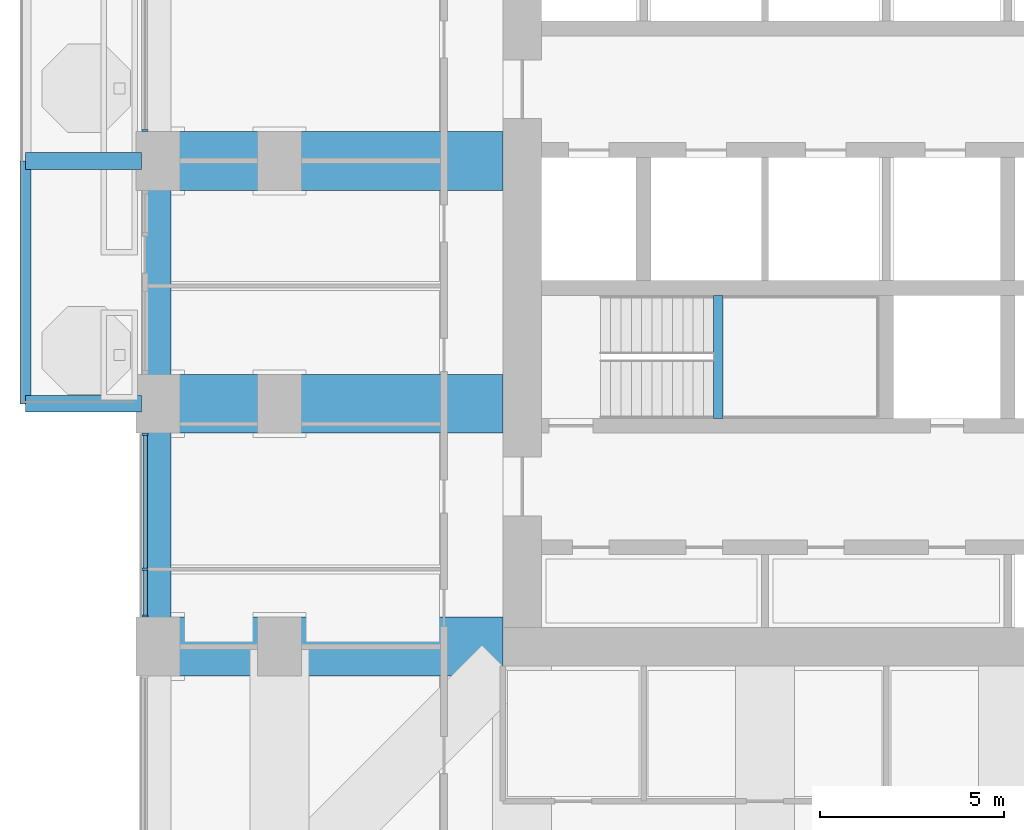
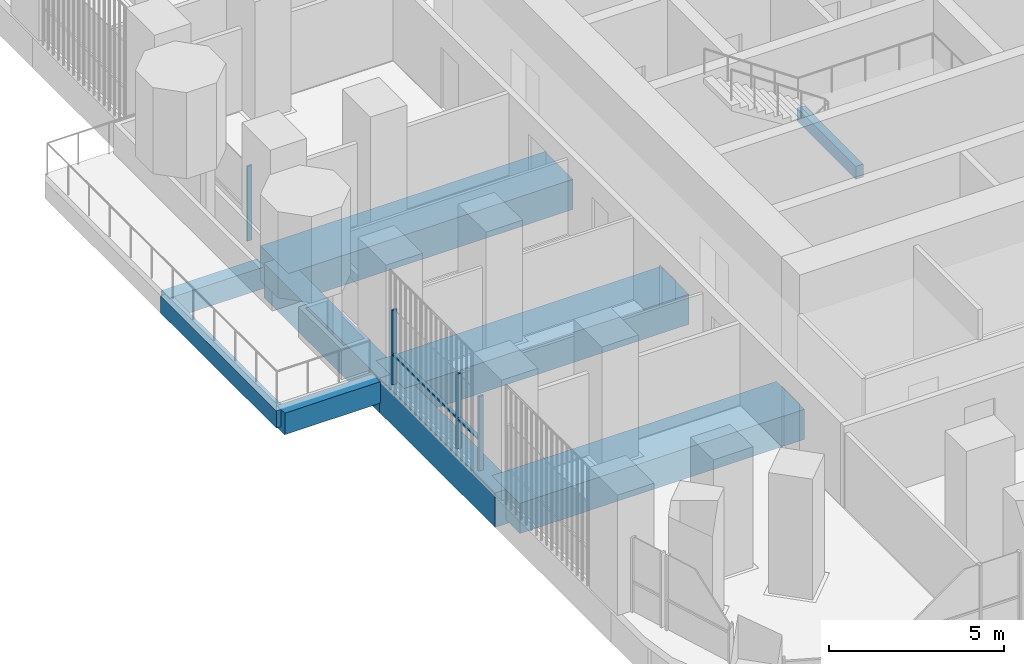
# One storey, part 4 of 22: 9 beams, 6 members, 2 elements without a shape of their own.
"""IFC4 building model written with IfcOpenShell, lengths in metres."""

from ifc_helpers import new_model, si_unit, direction, frame, origin, origin_2d, place, context, subcontext, project, spatial, rectangle, extrude, material, material_profile, profile_set, type_object, element, aggregate, save


model = new_model("IFC4")

# Units and contexts
model_context = context("Model", 3, precision=1e-05, world=origin(), true_north=direction((0.0, 1.0)))
body_context = subcontext(model_context, "Body", "Model", "MODEL_VIEW")
ifc_project = project(units=[si_unit("LENGTHUNIT", "METRE"), si_unit("AREAUNIT", "SQUARE_METRE"), si_unit("VOLUMEUNIT", "CUBIC_METRE"), si_unit("PLANEANGLEUNIT", "RADIAN"), si_unit("MASSUNIT", "GRAM", prefix="KILO")], contexts=[model_context])

# Site, building, storey
site_placement = place(None, origin())
site = spatial("IfcSite", under=ifc_project, at=site_placement, CompositionType="ELEMENT")
building_placement = place(site_placement, origin())
building = spatial("IfcBuilding", under=site, at=building_placement, Name="Cobogo Forest Laboratory Tower", CompositionType="ELEMENT")
storey_placement = place(building_placement, frame((0.0, 0.0, 136.800048828125)))
storey = spatial("IfcBuildingStorey", under=building, at=storey_placement, Name="L31", CompositionType="ELEMENT", Elevation=136.800048828125)

# Beams
ifc_material_1 = material(Name="Concrete HA-40 (C40/50)", Category="concrete")
ifc_material_profile_1 = material_profile(ifc_material_1, rectangle(XDim=0.449951171875, YDim=0.75, at=origin_2d()), Name="RC 450x750")
ifc_profile_set_1 = profile_set([ifc_material_profile_1], Name="Concrete HA-40 (C40/50)")
beam_type_1 = type_object("IfcBeamType", Name="Balcony cantilever beam 450x750", PredefinedType="BEAM", material=ifc_profile_set_1)
for number, where, z_axis, x_axis, name in (
    (1, (2.85009765625, 19.800048828125, -0.625), (-1.0, 0.0, 0.0), (0.0, -1.0, 0.0), "CB1 BAL-W1-C1 L31"),
    (2, (2.85009765625, 26.39990234375, -0.625), (-1.0, 0.0, 0.0), (0.0, -1.0, 0.0), "CB1 BAL-W1-C2 L31"),
):
    element("IfcBeam", number, at=place(storey_placement, frame(where, z_axis=z_axis, x_axis=x_axis)), inside=storey, type_object=beam_type_1, Name=name, PredefinedType="BEAM", context=body_context, shape_type="SweptSolid", body=[
        extrude(rectangle(XDim=0.449951171875, YDim=0.75, at=origin_2d()), origin(), (0.0, 0.0, 1.0), 3.150146484375),
    ])
ifc_material_profile_2 = material_profile(ifc_material_1, rectangle(XDim=0.300048828125, YDim=0.60009765625, at=origin_2d()), Name="RC 300x600")
ifc_profile_set_2 = profile_set([ifc_material_profile_2], Name="Concrete HA-40 (C40/50)")
beam_type_2 = type_object("IfcBeamType", Name="Balcony edge beam 300x600", PredefinedType="BEAM", material=ifc_profile_set_2)
beam_1_placement = place(storey_placement, frame((-0.300048828125, 19.800048828125, -0.550048828125), z_axis=(0.0, 1.0, 0.0), x_axis=(-1.0, 0.0, 0.0)))
element("IfcBeam", 3, at=beam_1_placement, inside=storey, type_object=beam_type_2, Name="BB1 BAL-W1-T1 L31", PredefinedType="BEAM", context=body_context, shape_type="SweptSolid", body=[
    extrude(rectangle(XDim=0.300048828125, YDim=0.60009765625, at=origin_2d()), origin(), (0.0, 0.0, 1.0), 6.599853515625),
])
ifc_material_profile_3 = material_profile(ifc_material_1, rectangle(XDim=0.25, YDim=0.449951171875, at=origin_2d()), Name="RC 250x450")
ifc_profile_set_3 = profile_set([ifc_material_profile_3], Name="Concrete HA-40 (C40/50)")
beam_type_3 = type_object("IfcBeamType", Name="LB1 landing beam 250x450", PredefinedType="BEAM", material=ifc_profile_set_3)
beam_2_placement = place(storey_placement, frame((18.530029296875, 19.39990234375, 1.675048828125), z_axis=(0.0, 1.0, 0.0), x_axis=(-1.0, 0.0, 0.0)))
element("IfcBeam", 4, at=beam_2_placement, inside=storey, type_object=beam_type_3, Name="Landing beam ST1 L31", PredefinedType="BEAM", context=body_context, shape_type="SweptSolid", body=[
    extrude(rectangle(XDim=0.25, YDim=0.449951171875, at=origin_2d()), origin(), (0.0, 0.0, 1.0), 3.35009765625),
])
ifc_material_2 = material(Name="Concrete HA-50 (C50/60)", Category="concrete")
ifc_material_profile_4 = material_profile(ifc_material_2, rectangle(XDim=1.60009765625, YDim=1.050048828125, at=origin_2d()), Name="RC 1600x1050")
ifc_profile_set_4 = profile_set([ifc_material_profile_4], Name="Concrete HA-50 (C50/60)")
beam_type_4 = type_object("IfcBeamType", Name="Laboratory floor wide beam 1600x1050", PredefinedType="BEAM", material=ifc_profile_set_4)
for number, where, z_axis, x_axis, name in (
    (5, (12.675048828125, 13.199951171875, -0.824951171875), (-1.0, 0.0, 0.0), (0.0, -1.0, 0.0), "RB8 R-C-W L31"),
    (6, (12.675048828125, 19.800048828125, -0.824951171875), (-1.0, 0.0, 0.0), (0.0, -1.0, 0.0), "RB8 R-D-W L31"),
    (7, (12.675048828125, 26.39990234375, -0.824951171875), (-1.0, 0.0, 0.0), (0.0, -1.0, 0.0), "RB8 R-E-W L31"),
):
    element("IfcBeam", number, at=place(storey_placement, frame(where, z_axis=z_axis, x_axis=x_axis)), inside=storey, type_object=beam_type_4, Name=name, PredefinedType="BEAM", context=body_context, shape_type="SweptSolid", body=[
        extrude(rectangle(XDim=1.60009765625, YDim=1.050048828125, at=origin_2d()), origin(), (0.0, 0.0, 1.0), 9.375),
    ])

# Curtain wall, member
ifc_material_3 = material(Name="Aluminium curtain wall", Category="aluminium")
curtain_wall_type = type_object("IfcCurtainWallType", Name="CW-1 unitised curtain wall, clear glazing, laboratory floors zones A and B", PredefinedType="USERDEFINED", material=ifc_material_3)
curtain_wall_1_placement = place(storey_placement, origin())
curtain_wall_1 = element("IfcCurtainWall", 8, at=curtain_wall_1_placement, inside=storey, type_object=curtain_wall_type, Name="Curtain wall 28 L31", ObjectType="UNITISED CURTAIN WALL", PredefinedType="USERDEFINED")
ifc_material_4 = material(Name="Aluminium mullion", Category="aluminium")
ifc_material_profile_5 = material_profile(ifc_material_4, rectangle(XDim=0.06005859375, YDim=0.159912109375, at=origin_2d()), Name="AL 60x160")
ifc_profile_set_5 = profile_set([ifc_material_profile_5], Name="Aluminium mullion")
member_type_1 = type_object("IfcMemberType", Name="MU-1 aluminium mullion 60x160", PredefinedType="MULLION", material=ifc_profile_set_5)
member_1_placement = place(storey_placement, frame((2.949951171875, 27.22998046875, 0.0), z_axis=(0.0, 0.0, 1.0), x_axis=(0.0, -1.0, 0.0)))
member_1 = element("IfcMember", 9, at=member_1_placement, type_object=member_type_1, Name="CW-1 mullion 2", PredefinedType="MULLION", context=body_context, shape_type="SweptSolid", body=[
    extrude(rectangle(XDim=0.06005859375, YDim=0.159912109375, at=origin_2d()), origin(), (0.0, 0.0, 1.0), 2.599853515625),
])
aggregate(curtain_wall_1, [member_1])

# Curtain wall, members
curtain_wall_2_placement = place(storey_placement, origin())
curtain_wall_2 = element("IfcCurtainWall", 10, at=curtain_wall_2_placement, inside=storey, type_object=curtain_wall_type, Name="Curtain wall 30 L31", ObjectType="UNITISED CURTAIN WALL", PredefinedType="USERDEFINED")
member_2_placement = place(storey_placement, frame((2.949951171875, 18.969970703125, 0.0), z_axis=(0.0, 0.0, 1.0), x_axis=(0.0, -1.0, 0.0)))
member_2 = element("IfcMember", 11, at=member_2_placement, type_object=member_type_1, Name="CW-1 mullion 1", PredefinedType="MULLION", context=body_context, shape_type="SweptSolid", body=[
    extrude(rectangle(XDim=0.06005859375, YDim=0.159912109375, at=origin_2d()), origin(), (0.0, 0.0, 1.0), 2.599853515625),
])
member_3_placement = place(storey_placement, frame((2.949951171875, 15.300048828125, 0.0), z_axis=(0.0, 0.0, 1.0), x_axis=(0.0, -1.0, 0.0)))
member_3 = element("IfcMember", 12, at=member_3_placement, type_object=member_type_1, Name="CW-1 mullion 2", PredefinedType="MULLION", context=body_context, shape_type="SweptSolid", body=[
    extrude(rectangle(XDim=0.06005859375, YDim=0.159912109375, at=origin_2d()), origin(), (0.0, 0.0, 1.0), 2.599853515625),
])
member_4_placement = place(storey_placement, frame((2.949951171875, 14.030029296875, 0.0), z_axis=(0.0, 0.0, 1.0), x_axis=(0.0, -1.0, 0.0)))
member_4 = element("IfcMember", 13, at=member_4_placement, type_object=member_type_1, Name="CW-1 mullion 3", PredefinedType="MULLION", context=body_context, shape_type="SweptSolid", body=[
    extrude(rectangle(XDim=0.06005859375, YDim=0.159912109375, at=origin_2d()), origin(), (0.0, 0.0, 1.0), 2.599853515625),
])

# Beams
ifc_material_profile_6 = material_profile(ifc_material_1, rectangle(XDim=0.699951171875, YDim=1.199951171875, at=origin_2d()), Name="RC 700x1200")
ifc_profile_set_6 = profile_set([ifc_material_profile_6], Name="Concrete HA-40 (C40/50)")
beam_type_5 = type_object("IfcBeamType", Name="Perimeter edge beam 700x1200", PredefinedType="BEAM", material=ifc_profile_set_6)
beam_3_placement = place(storey_placement, frame((3.300048828125, 13.199951171875, -0.900146484375), z_axis=(0.0, 1.0, 0.0), x_axis=(-1.0, 0.0, 0.0)))
element("IfcBeam", 14, at=beam_3_placement, inside=storey, type_object=beam_type_5, Name="EB1 E-W2 L31", PredefinedType="BEAM", context=body_context, shape_type="SweptSolid", body=[
    extrude(rectangle(XDim=0.699951171875, YDim=1.199951171875, at=origin_2d()), origin(), (0.0, 0.0, 1.0), 6.60009765625),
])
beam_4_placement = place(storey_placement, frame((3.300048828125, 19.800048828125, -0.900146484375), z_axis=(0.0, 1.0, 0.0), x_axis=(-1.0, 0.0, 0.0)))
element("IfcBeam", 15, at=beam_4_placement, inside=storey, type_object=beam_type_5, Name="EB1 E-W3 L31", PredefinedType="BEAM", context=body_context, shape_type="SweptSolid", body=[
    extrude(rectangle(XDim=0.699951171875, YDim=1.199951171875, at=origin_2d()), origin(), (0.0, 0.0, 1.0), 6.599853515625),
])

# Member
ifc_material_5 = material(Name="Aluminium transom", Category="aluminium")
ifc_material_profile_7 = material_profile(ifc_material_5, rectangle(XDim=0.1201171875, YDim=0.06005859375, at=origin_2d()), Name="AL 60x120")
ifc_profile_set_7 = profile_set([ifc_material_profile_7], Name="Aluminium transom")
member_type_2 = type_object("IfcMemberType", Name="TR-1 aluminium transom 60x120", PredefinedType="USERDEFINED", material=ifc_profile_set_7)
member_5_placement = place(storey_placement, frame((2.949951171875, 18.93994140625, 1.050048828125), z_axis=(0.0, -1.0, 0.0), x_axis=(1.0, 0.0, 0.0)))
member_5 = element("IfcMember", 16, at=member_5_placement, type_object=member_type_2, Name="CW-1 transom 1.1", ObjectType="TRANSOM", PredefinedType="USERDEFINED", context=body_context, shape_type="SweptSolid", body=[
    extrude(rectangle(XDim=0.1201171875, YDim=0.06005859375, at=origin_2d()), origin(), (0.0, 0.0, 1.0), 3.60986328125),
])

member_6_placement = place(storey_placement, frame((2.949951171875, 15.27001953125, 1.050048828125), z_axis=(0.0, -1.0, 0.0), x_axis=(1.0, 0.0, 0.0)))
member_6 = element("IfcMember", 17, at=member_6_placement, type_object=member_type_2, Name="CW-1 transom 2.1", ObjectType="TRANSOM", PredefinedType="USERDEFINED", context=body_context, shape_type="SweptSolid", body=[
    extrude(rectangle(XDim=0.1201171875, YDim=0.06005859375, at=origin_2d()), origin(), (0.0, 0.0, 1.0), 1.2099609375),
])

aggregate(curtain_wall_2, [member_2, member_3, member_4, member_5, member_6])

save(model, "model.ifc")
